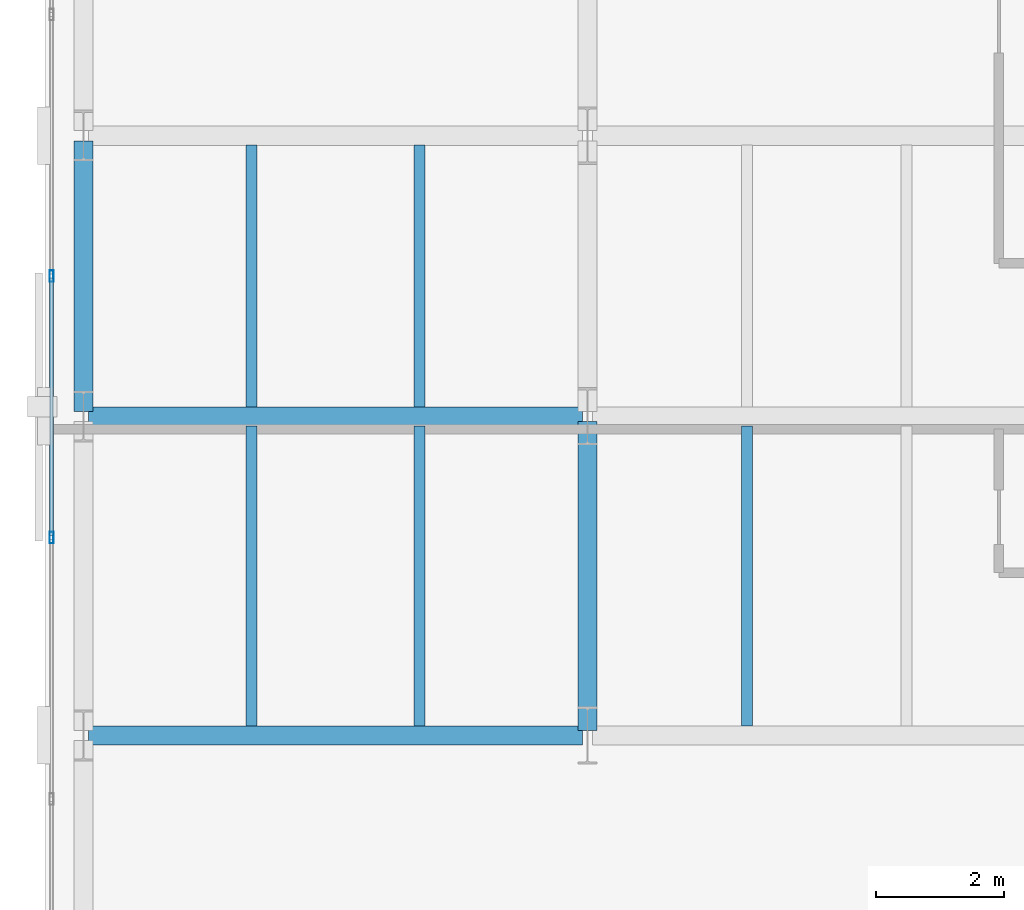
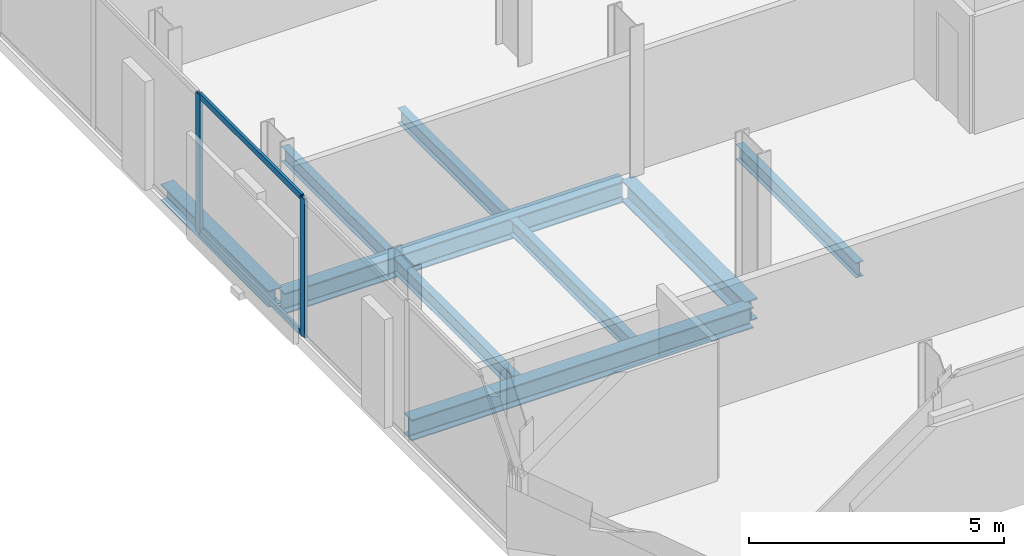
# One storey, part 5 of 33: 9 beams, 4 members, 1 element without a shape of its own.
"""IFC4 building model written with IfcOpenShell, lengths in metres."""

from ifc_helpers import new_model, si_unit, direction, frame, origin, origin_2d, place, context, subcontext, project, spatial, hollow_rectangle, i_section, extrude, material, layer, layer_set, material_profile, profile_set, type_object, element, aggregate, save


model = new_model("IFC4")

# Units and contexts
model_context = context("Model", 3, precision=1e-05, world=origin(), true_north=direction((0.0, 1.0)))
body_context = subcontext(model_context, "Body", "Model", "MODEL_VIEW")
ifc_project = project(units=[si_unit("LENGTHUNIT", "METRE"), si_unit("AREAUNIT", "SQUARE_METRE"), si_unit("VOLUMEUNIT", "CUBIC_METRE"), si_unit("PLANEANGLEUNIT", "RADIAN"), si_unit("MASSUNIT", "GRAM", prefix="KILO")], contexts=[model_context])

# Site, building, storey
site_placement = place(None, origin())
site = spatial("IfcSite", under=ifc_project, at=site_placement, CompositionType="ELEMENT")
building_placement = place(site_placement, origin())
building = spatial("IfcBuilding", under=site, at=building_placement, Name="Catumbela Crestline Tower", CompositionType="ELEMENT")
storey_placement = place(building_placement, frame((0.0, 0.0, 43.8)))
storey = spatial("IfcBuildingStorey", under=building, at=storey_placement, Name="L10", CompositionType="ELEMENT", Elevation=43.8)

# Beams
ifc_material_1 = material(Name="Structural steel S355J2", Category="steel")
ifc_material_profile_1 = material_profile(ifc_material_1, i_section(OverallWidth=0.3, OverallDepth=0.5, WebThickness=0.0145, FlangeThickness=0.028, FilletRadius=0.027, at=origin_2d()), Name="HEB 500")
ifc_profile_set_1 = profile_set([ifc_material_profile_1], Name="Structural steel S355J2")
beam_type_1 = type_object("IfcBeamType", Name="BG-HEB500", PredefinedType="BEAM", material=ifc_profile_set_1)
for number, where, z_axis, x_axis, name in (
    (1, (0.68, 8.6, -0.51), (1.0, 0.0, 0.0), (0.0, 1.0, 0.0), "L10 Beam BM-L10-WEW48"),
    (2, (0.68, 13.6, -0.51), (1.0, 0.0, 0.0), (0.0, 1.0, 0.0), "L10 Beam BM-L10-WEW51"),
):
    element("IfcBeam", number, at=place(storey_placement, frame(where, z_axis=z_axis, x_axis=x_axis)), inside=storey, type_object=beam_type_1, Name=name, PredefinedType="BEAM", context=body_context, shape_type="SweptSolid", body=[
        extrude(i_section(OverallWidth=0.3, OverallDepth=0.5, WebThickness=0.0145, FlangeThickness=0.028, FilletRadius=0.027, at=origin_2d()), origin(), (0.0, 0.0, 1.0), 7.74),
    ])
beam_1_placement = place(storey_placement, frame((8.5, 8.68, -0.51), z_axis=(0.0, 1.0, 0.0), x_axis=(-1.0, 0.0, 0.0)))
element("IfcBeam", 3, at=beam_1_placement, inside=storey, type_object=beam_type_1, Name="L10 Beam BM-L10-WNS61", PredefinedType="BEAM", context=body_context, shape_type="SweptSolid", body=[
    extrude(i_section(OverallWidth=0.3, OverallDepth=0.5, WebThickness=0.0145, FlangeThickness=0.028, FilletRadius=0.027, at=origin_2d()), origin(), (0.0, 0.0, 1.0), 4.84),
])
ifc_material_profile_2 = material_profile(ifc_material_1, i_section(OverallWidth=0.17, OverallDepth=0.36, WebThickness=0.008, FlangeThickness=0.0127, FilletRadius=0.018, at=origin_2d()), Name="IPE 360")
ifc_profile_set_2 = profile_set([ifc_material_profile_2], Name="Structural steel S355J2")
beam_type_2 = type_object("IfcBeamType", Name="BJ-IPE360", PredefinedType="JOIST", material=ifc_profile_set_2)
for number, where, z_axis, x_axis, name in (
    (4, (3.233, 8.747, -0.44), (0.0, 1.0, 0.0), (-1.0, 0.0, 0.0), "L10 Joist JS-L10-WG70"),
    (5, (5.867, 8.747, -0.44), (0.0, 1.0, 0.0), (-1.0, 0.0, 0.0), "L10 Joist JS-L10-WG71"),
    (6, (11.0, 8.747, -0.44), (0.0, 1.0, 0.0), (-1.0, 0.0, 0.0), "L10 Joist JS-L10-WG72"),
):
    element("IfcBeam", number, at=place(storey_placement, frame(where, z_axis=z_axis, x_axis=x_axis)), inside=storey, type_object=beam_type_2, Name=name, PredefinedType="JOIST", context=body_context, shape_type="SweptSolid", body=[
        extrude(i_section(OverallWidth=0.17, OverallDepth=0.36, WebThickness=0.008, FlangeThickness=0.0127, FilletRadius=0.018, at=origin_2d()), origin(), (0.0, 0.0, 1.0), 4.706),
    ])
for number, where, z_axis, x_axis, name in (
    (7, (3.233, 13.747, -0.44), (0.0, 1.0, 0.0), (-1.0, 0.0, 0.0), "L10 Joist JS-L10-WG76"),
    (8, (5.867, 13.747, -0.44), (0.0, 1.0, 0.0), (-1.0, 0.0, 0.0), "L10 Joist JS-L10-WG77"),
):
    element("IfcBeam", number, at=place(storey_placement, frame(where, z_axis=z_axis, x_axis=x_axis)), inside=storey, type_object=beam_type_2, Name=name, PredefinedType="JOIST", context=body_context, shape_type="SweptSolid", body=[
        extrude(i_section(OverallWidth=0.17, OverallDepth=0.36, WebThickness=0.008, FlangeThickness=0.0127, FilletRadius=0.018, at=origin_2d()), origin(), (0.0, 0.0, 1.0), 4.106),
    ])

# Curtain wall, members
ifc_material_2 = material(Name="Aluminium alloy AW-6060-T66", Category="aluminium")
ifc_layer = layer(ifc_material_2, 0.18, Name="Aluminium alloy AW-6060-T66")
ifc_layer_set = layer_set([ifc_layer], Name="Aluminium alloy AW-6060-T66")
curtain_wall_type = type_object("IfcCurtainWallType", Name="CWU-Z1", PredefinedType="USERDEFINED", material=ifc_layer_set)
curtain_wall_placement = place(storey_placement, origin())
curtain_wall = element("IfcCurtainWall", 9, at=curtain_wall_placement, inside=storey, type_object=curtain_wall_type, Name="L10 Unitised Curtain Wall CW-L10-E9S1", ObjectType="UNITISED", PredefinedType="USERDEFINED")
ifc_material_profile_3 = material_profile(ifc_material_2, hollow_rectangle(XDim=0.065, YDim=0.18, WallThickness=0.004, at=origin_2d()), Name="ALU 180x65x4")
ifc_profile_set_3 = profile_set([ifc_material_profile_3], Name="Aluminium alloy AW-6060-T66")
member_type_1 = type_object("IfcMemberType", Name="MUL-180X65", PredefinedType="MULLION", material=ifc_profile_set_3)
member_1_placement = place(storey_placement, frame((0.1, 15.8, 0.0), z_axis=(0.0, 0.0, 1.0), x_axis=(1.0, 0.0, 0.0)))
member_1 = element("IfcMember", 10, at=member_1_placement, type_object=member_type_1, Name="CWU-Z1 mullion 8", PredefinedType="MULLION", context=body_context, shape_type="SweptSolid", body=[
    extrude(hollow_rectangle(XDim=0.065, YDim=0.18, WallThickness=0.004, at=origin_2d()), origin(), (0.0, 0.0, 1.0), 3.33),
])
member_2_placement = place(storey_placement, frame((0.1, 11.7, 0.0), z_axis=(0.0, 0.0, 1.0), x_axis=(1.0, 0.0, 0.0)))
member_2 = element("IfcMember", 11, at=member_2_placement, type_object=member_type_1, Name="CWU-Z1 mullion 9", PredefinedType="MULLION", context=body_context, shape_type="SweptSolid", body=[
    extrude(hollow_rectangle(XDim=0.065, YDim=0.18, WallThickness=0.004, at=origin_2d()), origin(), (0.0, 0.0, 1.0), 3.33),
])

# Beam
ifc_material_profile_4 = material_profile(ifc_material_1, i_section(OverallWidth=0.3, OverallDepth=0.39, WebThickness=0.011, FlangeThickness=0.019, FilletRadius=0.027, at=origin_2d()), Name="HEA 400")
ifc_profile_set_4 = profile_set([ifc_material_profile_4], Name="Structural steel S355J2")
beam_type_3 = type_object("IfcBeamType", Name="BS-HEA400", PredefinedType="SPANDREL", material=ifc_profile_set_4)
beam_2_placement = place(storey_placement, frame((0.6, 13.68, -0.455), z_axis=(0.0, 1.0, 0.0), x_axis=(-1.0, 0.0, 0.0)))
element("IfcBeam", 12, at=beam_2_placement, inside=storey, type_object=beam_type_3, Name="L10 Spandrel SP-L10-WNS59", PredefinedType="SPANDREL", context=body_context, shape_type="SweptSolid", body=[
    extrude(i_section(OverallWidth=0.3, OverallDepth=0.39, WebThickness=0.011, FlangeThickness=0.019, FilletRadius=0.027, at=origin_2d()), origin(), (0.0, 0.0, 1.0), 4.24),
])

# Member
ifc_material_profile_5 = material_profile(ifc_material_2, hollow_rectangle(XDim=0.06, YDim=0.14, WallThickness=0.004, at=origin_2d()), Name="ALU 140x60x4")
ifc_profile_set_5 = profile_set([ifc_material_profile_5], Name="Aluminium alloy AW-6060-T66")
member_type_2 = type_object("IfcMemberType", Name="TRN-140X60", PredefinedType="USERDEFINED", material=ifc_profile_set_5)
member_3_placement = place(storey_placement, frame((0.1, 15.7675, 0.03), z_axis=(0.0, -1.0, 0.0), x_axis=(1.0, 0.0, 0.0)))
member_3 = element("IfcMember", 13, at=member_3_placement, type_object=member_type_2, Name="CWU-Z1 transom 8.1", ObjectType="TRANSOM", PredefinedType="USERDEFINED", context=body_context, shape_type="SweptSolid", body=[
    extrude(hollow_rectangle(XDim=0.06, YDim=0.14, WallThickness=0.004, at=origin_2d()), origin(), (0.0, 0.0, 1.0), 4.035),
])

member_4_placement = place(storey_placement, frame((0.1, 15.7675, 3.3), z_axis=(0.0, -1.0, 0.0), x_axis=(1.0, 0.0, 0.0)))
member_4 = element("IfcMember", 14, at=member_4_placement, type_object=member_type_2, Name="CWU-Z1 transom 8.2", ObjectType="TRANSOM", PredefinedType="USERDEFINED", context=body_context, shape_type="SweptSolid", body=[
    extrude(hollow_rectangle(XDim=0.06, YDim=0.14, WallThickness=0.004, at=origin_2d()), origin(), (0.0, 0.0, 1.0), 4.035),
])

aggregate(curtain_wall, [member_1, member_2, member_3, member_4])

save(model, "model.ifc")
